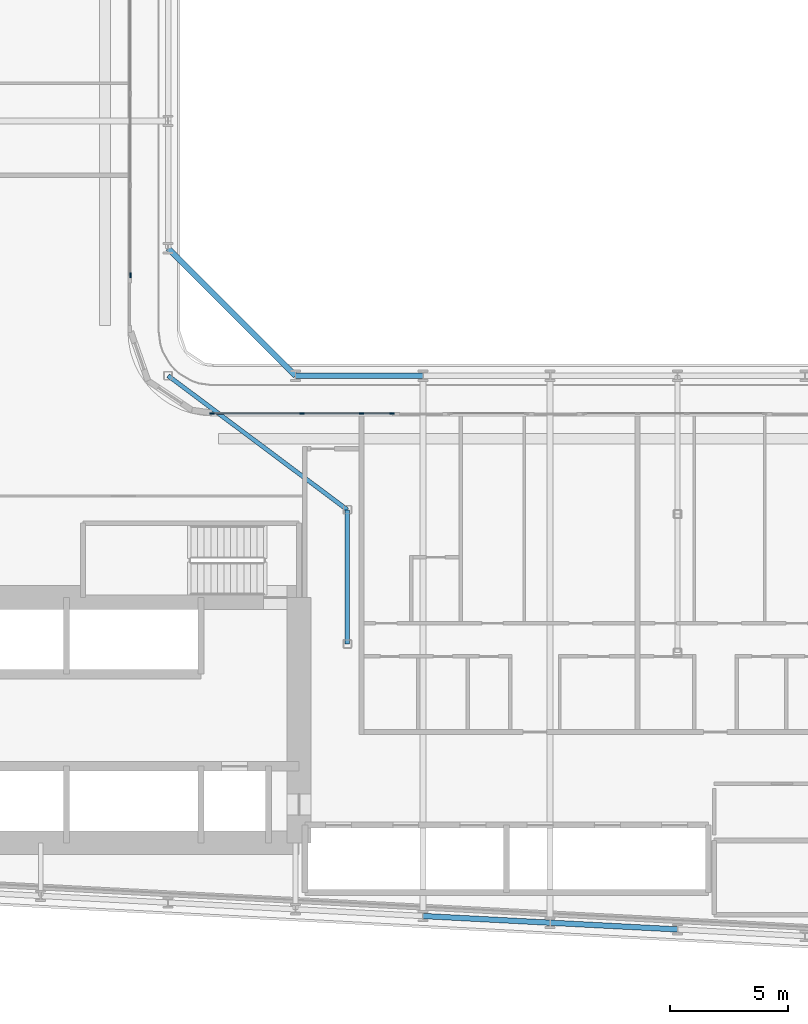
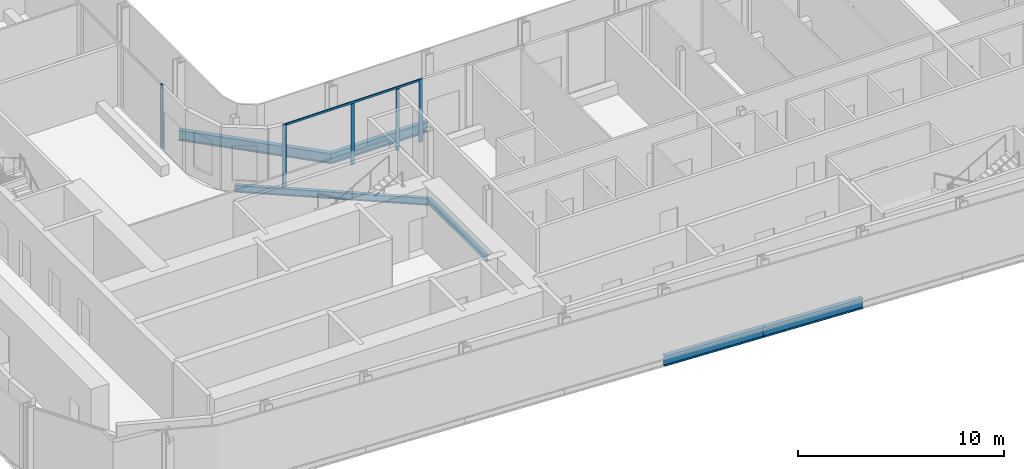
# One storey, part 4 of 28: 6 beams, 6 members, 2 elements without a shape of their own.
"""IFC4 building model written with IfcOpenShell, lengths in metres."""

import ifcopenshell
import ifcopenshell.guid

model = None  # the IFC model being written
_history = None  # IfcOwnerHistory: only IFC2X3 demands one
_inside = {}  # id of a spatial element -> (the spatial element, [elements in it])
_under = {}  # id of a project, library or spatial element -> (it, [spatial elements below it])
_declared = {}  # id of a project -> (the project, [libraries it declares])
_typed = {}  # id of a type object -> (the type object, [elements of that type])
_made_of = {}  # id of a material, layer set ... -> (it, [elements and type objects made of it])


def new_model(schema):
    """Start an empty IFC model of exactly this schema.

    Asked for "IFC4X3", IfcOpenShell would pick the latest addendum, in which some entities
    have other attributes; the version numbers below select the first issue.
    IFC2X3 requires an IfcOwnerHistory on every rooted entity: one is made here for all.
    """
    global model, _history
    if schema == "IFC4X3":
        model = ifcopenshell.file(schema_version=(4, 3, 0, 0))
    else:
        model = ifcopenshell.file(schema=schema)
    _inside.clear()
    _under.clear()
    _declared.clear()
    _typed.clear()
    _made_of.clear()
    _history = None
    if model.schema == "IFC2X3":
        org = make("IfcOrganization", Name="unknown")
        user = make(
            "IfcPersonAndOrganization",
            ThePerson=make("IfcPerson", FamilyName="unknown"),
            TheOrganization=org,
        )
        app = make(
            "IfcApplication",
            ApplicationDeveloper=org,
            Version="unknown",
            ApplicationFullName="unknown",
            ApplicationIdentifier="unknown",
        )
        _history = make(
            "IfcOwnerHistory",
            OwningUser=user,
            OwningApplication=app,
            ChangeAction="ADDED",
            CreationDate=0,
        )
    return model


def make(cls, **values):
    """One entity of the class cls with the attributes given. An attribute that is None is left unset."""
    return model.create_entity(
        cls, **{name: value for name, value in values.items() if value is not None}
    )


def rooted(cls, **values):
    """An entity with a GlobalId (a new one), such as an element, a storey or a relation."""
    return make(cls, GlobalId=ifcopenshell.guid.new(), OwnerHistory=_history, **values)


def si_unit(unit_type, name, prefix=None):
    """IfcSIUnit, for example si_unit("LENGTHUNIT", "METRE", prefix="MILLI")."""
    return make("IfcSIUnit", UnitType=unit_type, Prefix=prefix, Name=name)


def assignment(units):
    """IfcUnitAssignment: the units of a project."""
    return None if units is None else make("IfcUnitAssignment", Units=units)


def point(xyz):
    """IfcCartesianPoint."""
    return None if xyz is None else make("IfcCartesianPoint", Coordinates=xyz)


def direction(xyz):
    """IfcDirection."""
    return None if xyz is None else make("IfcDirection", DirectionRatios=xyz)


def frame(location, z_axis=None, x_axis=None):
    """IfcAxis2Placement3D, a coordinate frame: its origin and axes. An axis left out is left unset."""
    return make(
        "IfcAxis2Placement3D",
        Location=point(location),
        Axis=direction(z_axis),
        RefDirection=direction(x_axis),
    )


def frame_2d(location, x_axis=None):
    """IfcAxis2Placement2D, a coordinate frame in the plane: its origin and x axis."""
    return make(
        "IfcAxis2Placement2D", Location=point(location), RefDirection=direction(x_axis)
    )


def origin():
    """The frame at (0, 0, 0) with its axes left unset."""
    return frame((0.0, 0.0, 0.0))


def origin_2d():
    """The frame at (0, 0) in the plane with its x axis left unset."""
    return frame_2d((0.0, 0.0))


def place(relative_to, where):
    """IfcLocalPlacement: puts the frame where relative to a parent placement (None: the world)."""
    return make(
        "IfcLocalPlacement", PlacementRelTo=relative_to, RelativePlacement=where
    )


def context(
    kind, dimensions, precision=None, world=None, true_north=None, identifier=None
):
    """IfcGeometricRepresentationContext, for example the 3D "Model" context."""
    return make(
        "IfcGeometricRepresentationContext",
        ContextIdentifier=identifier,
        ContextType=kind,
        CoordinateSpaceDimension=dimensions,
        Precision=precision,
        WorldCoordinateSystem=world,
        TrueNorth=true_north,
    )


def subcontext(parent, identifier, kind, view, scale=None):
    """IfcGeometricRepresentationSubContext, for example "Body" below "Model"."""
    return make(
        "IfcGeometricRepresentationSubContext",
        ContextIdentifier=identifier,
        ContextType=kind,
        ParentContext=parent,
        TargetScale=scale,
        TargetView=view,
    )


def project(units=None, contexts=None):
    """IfcProject with its units and contexts."""
    return rooted(
        "IfcProject",
        Name="project",
        RepresentationContexts=contexts,
        UnitsInContext=assignment(units),
    )


def spatial(cls, under=None, at=None, **own):
    """A site, building, storey or space (cls), placed at a placement, below another one or the project."""
    s = rooted(cls, ObjectPlacement=at, **own)
    if under is not None:
        _under.setdefault(under.id(), (under, []))[1].append(s)
    return s


def profile(cls, at=None, kind="AREA", **sizes):
    """A parametric profile (cls). Its sizes go by their IFC names, for example OverallWidth=200.0."""
    return make(cls, ProfileType=kind, Position=at, **sizes)


def rectangle(**sizes):
    """IfcRectangleProfileDef."""
    return profile("IfcRectangleProfileDef", **sizes)


def i_section(**sizes):
    """IfcIShapeProfileDef."""
    return profile("IfcIShapeProfileDef", **sizes)


def extrude(swept, where, along, depth):
    """IfcExtrudedAreaSolid: the profile swept, set in the frame where, extruded along a direction by depth."""
    return make(
        "IfcExtrudedAreaSolid",
        SweptArea=swept,
        Position=where,
        ExtrudedDirection=direction(along),
        Depth=depth,
    )


def shape(context_of_items, identifier, shape_type, items):
    """IfcShapeRepresentation: the items that make up one representation, for example the "Body"."""
    return make(
        "IfcShapeRepresentation",
        ContextOfItems=context_of_items,
        RepresentationIdentifier=identifier,
        RepresentationType=shape_type,
        Items=items,
    )


def material(Name=None, Category=None):
    """IfcMaterial."""
    return make("IfcMaterial", Name=Name, Category=Category)


def layer(
    of_material, thickness, ventilated=None, Name=None, Category=None, Priority=None
):
    """IfcMaterialLayer: one layer of a wall or slab, of a material (None: an air gap)."""
    return make(
        "IfcMaterialLayer",
        Material=of_material,
        LayerThickness=thickness,
        IsVentilated=ventilated,
        Name=Name,
        Category=Category,
        Priority=Priority,
    )


def layer_set(layers, Name=None):
    """IfcMaterialLayerSet."""
    return make("IfcMaterialLayerSet", MaterialLayers=layers, LayerSetName=Name)


def material_profile(
    of_material, cross_section, Name=None, Category=None, Priority=None
):
    """IfcMaterialProfile: a cross section and its material."""
    return make(
        "IfcMaterialProfile",
        Name=Name,
        Material=of_material,
        Profile=cross_section,
        Priority=Priority,
        Category=Category,
    )


def profile_set(profiles, Name=None, composite=None):
    """IfcMaterialProfileSet."""
    return make(
        "IfcMaterialProfileSet",
        Name=Name,
        MaterialProfiles=profiles,
        CompositeProfile=composite,
    )


def made_of(thing, what):
    """Note that an element or type object is made of a material, layer set ...; save() writes the relation."""
    if what is not None:
        _made_of.setdefault(what.id(), (what, []))[1].append(thing)
    return thing


def type_object(cls, material=None, **own):
    """A type object (cls), such as IfcWallType, which elements share."""
    return made_of(rooted(cls, **own), material)


def element(
    cls,
    number,
    at=None,
    inside=None,
    cuts=None,
    type_object=None,
    material=None,
    context=None,
    identifier="Body",
    shape_type=None,
    held_by="IfcProductDefinitionShape",
    body=None,
    shapes=None,
    **own,
):
    """One element of the class cls, such as IfcWall. Its Tag is "e" and its number.

    at: its placement. inside: the storey or other place that contains it. cuts: it is an
    opening in that element (IfcRelVoidsElement). A single representation is given by context,
    identifier, shape_type and body (its items); several are given by shapes. held_by: the class
    of the entity that holds the representations. save() writes the other relations.
    """
    e = rooted(cls, Tag="e%d" % number, ObjectPlacement=at, **own)
    if body is not None:
        shapes = [shape(context, identifier, shape_type, body)]
    if shapes is not None:
        e.Representation = make(held_by, Representations=shapes)
    if inside is not None:
        _inside.setdefault(inside.id(), (inside, []))[1].append(e)
    if cuts is not None:
        rooted(
            "IfcRelVoidsElement", RelatingBuildingElement=cuts, RelatedOpeningElement=e
        )
    if type_object is not None:
        _typed.setdefault(type_object.id(), (type_object, []))[1].append(e)
    return made_of(e, material)


def aggregate(whole, parts):
    """IfcRelAggregates: a whole, such as a stair, and the parts it consists of."""
    return rooted("IfcRelAggregates", RelatingObject=whole, RelatedObjects=parts)


def save(model, path):
    """Write the relations noted so far, then the file.

    IfcRelAggregates (storeys below a building ...), IfcRelContainedInSpatialStructure (elements
    in a storey), IfcRelDefinesByType, IfcRelAssociatesMaterial and IfcRelDeclares: one each for
    every whole, place, type object, material and project.
    """
    for whole, parts in _under.values():
        aggregate(whole, parts)
    for where, things in _inside.values():
        rooted(
            "IfcRelContainedInSpatialStructure",
            RelatedElements=things,
            RelatingStructure=where,
        )
    for kind, things in _typed.values():
        rooted("IfcRelDefinesByType", RelatedObjects=things, RelatingType=kind)
    for what, things in _made_of.values():
        rooted("IfcRelAssociatesMaterial", RelatedObjects=things, RelatingMaterial=what)
    for by, libraries in _declared.values():
        rooted("IfcRelDeclares", RelatingContext=by, RelatedDefinitions=libraries)
    model.write(path)


model = new_model("IFC4")

# Units and contexts
model_context = context("Model", 3, precision=1e-05, world=origin(), true_north=direction((0.0, 1.0)))
body_context = subcontext(model_context, "Body", "Model", "MODEL_VIEW")
ifc_project = project(units=[si_unit("LENGTHUNIT", "METRE"), si_unit("AREAUNIT", "SQUARE_METRE"), si_unit("VOLUMEUNIT", "CUBIC_METRE"), si_unit("PLANEANGLEUNIT", "RADIAN"), si_unit("MASSUNIT", "GRAM", prefix="KILO")], contexts=[model_context])

# Site, building, storey
site_placement = place(None, origin())
site = spatial("IfcSite", under=ifc_project, at=site_placement, CompositionType="ELEMENT")
building_placement = place(site_placement, origin())
building = spatial("IfcBuilding", under=site, at=building_placement, Name="Kheshtan School and Residences Tower", CompositionType="ELEMENT")
storey_placement = place(building_placement, frame((0.0, 0.0, 73.39990234375)))
storey = spatial("IfcBuildingStorey", under=building, at=storey_placement, Name="L17", CompositionType="ELEMENT", Elevation=73.39990234375)

# Beams
ifc_material_1 = material(Name="Steel ASTM A992 Grade 50", Category="steel")
ifc_material_profile_1 = material_profile(ifc_material_1, i_section(OverallWidth=0.202880859375, OverallDepth=0.302978515625, WebThickness=0.007568359375, FlangeThickness=0.01318359375, FilletRadius=0.009033203125, at=origin_2d()), Name="W310x60")
ifc_profile_set_1 = profile_set([ifc_material_profile_1], Name="Steel ASTM A992 Grade 50")
beam_type_1 = type_object("IfcBeamType", Name="Beam FB1 W310x60 ASTM A992 Grade 50", PredefinedType="BEAM", material=ifc_profile_set_1)
beam_1_placement = place(storey_placement, frame((55.199951171875, 34.23193359375, -0.301513671875), z_axis=(0.0, 1.0, 0.0), x_axis=(-1.0, 0.0, 0.0)))
element("IfcBeam", 1, at=beam_1_placement, inside=storey, type_object=beam_type_1, Name="Floor beam IC", PredefinedType="BEAM", context=body_context, shape_type="SweptSolid", body=[
    extrude(i_section(OverallWidth=0.202880859375, OverallDepth=0.302978515625, WebThickness=0.007568359375, FlangeThickness=0.01318359375, FilletRadius=0.009033203125, at=origin_2d()), origin(), (0.0, 0.0, 1.0), 5.68408203125),
])
ifc_material_profile_2 = material_profile(ifc_material_1, i_section(OverallWidth=0.180908203125, OverallDepth=0.4169921875, WebThickness=0.010986328125, FlangeThickness=0.018310546875, FilletRadius=0.012451171875, at=origin_2d()), Name="W410x85")
ifc_profile_set_2 = profile_set([ifc_material_profile_2], Name="Steel ASTM A992 Grade 50")
beam_type_2 = type_object("IfcBeamType", Name="Beam FB3 W410x85 ASTM A992 Grade 50", PredefinedType="BEAM", material=ifc_profile_set_2)
beam_2_placement = place(storey_placement, frame((47.60009765625, 45.60009765625, -0.3583984375), z_axis=(0.800798828004, -0.598933416222, 0.0), x_axis=(0.598933416222, 0.800798828004, 0.0)))
element("IfcBeam", 2, at=beam_2_placement, inside=storey, type_object=beam_type_2, Name="Floor beam IC", PredefinedType="BEAM", context=body_context, shape_type="SweptSolid", body=[
    extrude(i_section(OverallWidth=0.180908203125, OverallDepth=0.4169921875, WebThickness=0.010986328125, FlangeThickness=0.018310546875, FilletRadius=0.012451171875, at=origin_2d()), origin(), (0.0, 0.0, 1.0), 9.490234375),
])
ifc_material_profile_3 = material_profile(ifc_material_1, i_section(OverallWidth=0.22998046875, OverallDepth=0.616943359375, WebThickness=0.01318359375, FlangeThickness=0.022216796875, FilletRadius=0.0185546875, at=origin_2d()), Name="W610x140")
ifc_profile_set_3 = profile_set([ifc_material_profile_3], Name="Steel ASTM A992 Grade 50")
beam_type_3 = type_object("IfcBeamType", Name="Beam SP1 W610x140 ASTM A992 Grade 50", PredefinedType="BEAM", material=ifc_profile_set_3)
beam_3_placement = place(storey_placement, frame((47.60009765625, 51.0, -0.45849609375), z_axis=(0.707106781187, -0.707106781187, 0.0), x_axis=(0.707106781187, 0.707106781187, 0.0)))
element("IfcBeam", 3, at=beam_3_placement, inside=storey, type_object=beam_type_3, Name="Spandrel beam C079-C061", PredefinedType="BEAM", context=body_context, shape_type="SweptSolid", body=[
    extrude(i_section(OverallWidth=0.22998046875, OverallDepth=0.616943359375, WebThickness=0.01318359375, FlangeThickness=0.022216796875, FilletRadius=0.0185546875, at=origin_2d()), origin(), (0.0, 0.0, 1.0), 7.63671875),
])
beam_4_placement = place(storey_placement, frame((53.0, 45.60009765625, -0.45849609375), z_axis=(1.0, 0.0, 0.0), x_axis=(0.0, 1.0, 0.0)))
element("IfcBeam", 4, at=beam_4_placement, inside=storey, type_object=beam_type_3, Name="Spandrel beam C061-C062", PredefinedType="BEAM", context=body_context, shape_type="SweptSolid", body=[
    extrude(i_section(OverallWidth=0.22998046875, OverallDepth=0.616943359375, WebThickness=0.01318359375, FlangeThickness=0.022216796875, FilletRadius=0.0185546875, at=origin_2d()), origin(), (0.0, 0.0, 1.0), 5.39990234375),
])
beam_5_placement = place(storey_placement, frame((69.199951171875, 22.126953125, -0.45849609375), z_axis=(-0.998620447272, 0.05250906864, 0.0), x_axis=(-0.05250906864, -0.998620447272, 0.0)))
element("IfcBeam", 5, at=beam_5_placement, inside=storey, type_object=beam_type_3, Name="Spandrel beam C014-C016", PredefinedType="BEAM", context=body_context, shape_type="SweptSolid", body=[
    extrude(i_section(OverallWidth=0.22998046875, OverallDepth=0.616943359375, WebThickness=0.01318359375, FlangeThickness=0.022216796875, FilletRadius=0.0185546875, at=origin_2d()), origin(), (0.0, 0.0, 1.0), 5.407470703125),
])
beam_6_placement = place(storey_placement, frame((63.800048828125, 22.410888671875, -0.45849609375), z_axis=(-0.998618203458, 0.052551724256, 0.0), x_axis=(-0.052551724256, -0.998618203458, 0.0)))
element("IfcBeam", 6, at=beam_6_placement, inside=storey, type_object=beam_type_3, Name="Spandrel beam C016-C018", PredefinedType="BEAM", context=body_context, shape_type="SweptSolid", body=[
    extrude(i_section(OverallWidth=0.22998046875, OverallDepth=0.616943359375, WebThickness=0.01318359375, FlangeThickness=0.022216796875, FilletRadius=0.0185546875, at=origin_2d()), origin(), (0.0, 0.0, 1.0), 5.40771484375),
])

# Curtain wall, member
ifc_material_2 = material(Name="Clear low-e glass in thermally broken aluminium frame", Category="aluminium")
ifc_layer = layer(ifc_material_2, 0.199951171875)
ifc_layer_set = layer_set([ifc_layer], Name="Curtain wall CW-L")
curtain_wall_type = type_object("IfcCurtainWallType", Name="Curtain wall CW-L", PredefinedType="NOTDEFINED", material=ifc_layer_set)
curtain_wall_1_placement = place(storey_placement, origin())
curtain_wall_1 = element("IfcCurtainWall", 7, at=curtain_wall_1_placement, inside=storey, type_object=curtain_wall_type, Name="Curtain wall CWL8", PredefinedType="NOTDEFINED")
ifc_material_3 = material(Name="Thermally broken aluminium, dark bronze anodised", Category="aluminium")
ifc_material_profile_4 = material_profile(ifc_material_3, rectangle(XDim=0.06005859375, YDim=0.199951171875, at=origin_2d()), Name="CW-L mullion 60x200")
ifc_profile_set_4 = profile_set([ifc_material_profile_4], Name="Thermally broken aluminium, dark bronze anodised")
member_type_1 = type_object("IfcMemberType", Name="CW-L mullion 60x200", PredefinedType="MULLION", material=ifc_profile_set_4)
member_1_placement = place(storey_placement, frame((46.0, 49.860107421875, 0.0), z_axis=(0.0, 0.0, 1.0), x_axis=(1.0, 0.0, 0.0)))
member_1 = element("IfcMember", 8, at=member_1_placement, type_object=member_type_1, Name="CWL8 mullion 3", PredefinedType="MULLION", context=body_context, shape_type="SweptSolid", body=[
    extrude(rectangle(XDim=0.06005859375, YDim=0.199951171875, at=origin_2d()), origin(), (0.0, 0.0, 1.0), 3.75),
])
aggregate(curtain_wall_1, [member_1])

# Curtain wall, members
curtain_wall_2_placement = place(storey_placement, origin())
curtain_wall_2 = element("IfcCurtainWall", 9, at=curtain_wall_2_placement, inside=storey, type_object=curtain_wall_type, Name="Curtain wall CWL12k", PredefinedType="NOTDEFINED")
member_2_placement = place(storey_placement, frame((49.4599609375, 44.0, 0.0), z_axis=(0.0, 0.0, 1.0), x_axis=(0.0, 1.0, 0.0)))
member_2 = element("IfcMember", 10, at=member_2_placement, type_object=member_type_1, Name="CWL12k mullion 1", PredefinedType="MULLION", context=body_context, shape_type="SweptSolid", body=[
    extrude(rectangle(XDim=0.06005859375, YDim=0.199951171875, at=origin_2d()), origin(), (0.0, 0.0, 1.0), 3.75),
])
member_3_placement = place(storey_placement, frame((53.277099609375, 44.0, 0.0), z_axis=(0.0, 0.0, 1.0), x_axis=(0.0, 1.0, 0.0)))
member_3 = element("IfcMember", 11, at=member_3_placement, type_object=member_type_1, Name="CWL12k mullion 2", PredefinedType="MULLION", context=body_context, shape_type="SweptSolid", body=[
    extrude(rectangle(XDim=0.06005859375, YDim=0.199951171875, at=origin_2d()), origin(), (0.0, 0.0, 1.0), 3.630126953125),
])
member_4_placement = place(storey_placement, frame((55.800048828125, 44.0, 0.0), z_axis=(0.0, 0.0, 1.0), x_axis=(0.0, 1.0, 0.0)))
member_4 = element("IfcMember", 12, at=member_4_placement, type_object=member_type_1, Name="CWL12k mullion 3", PredefinedType="MULLION", context=body_context, shape_type="SweptSolid", body=[
    extrude(rectangle(XDim=0.06005859375, YDim=0.199951171875, at=origin_2d()), origin(), (0.0, 0.0, 1.0), 3.630126953125),
])
member_5_placement = place(storey_placement, frame((57.093994140625, 44.0, 0.0), z_axis=(0.0, 0.0, 1.0), x_axis=(0.0, 1.0, 0.0)))
member_5 = element("IfcMember", 13, at=member_5_placement, type_object=member_type_1, Name="CWL12k mullion 4", PredefinedType="MULLION", context=body_context, shape_type="SweptSolid", body=[
    extrude(rectangle(XDim=0.06005859375, YDim=0.199951171875, at=origin_2d()), origin(), (0.0, 0.0, 1.0), 3.75),
])
ifc_material_profile_5 = material_profile(ifc_material_3, rectangle(XDim=0.06005859375, YDim=0.1201171875, at=origin_2d()), Name="CW-L transom 60x120")
ifc_profile_set_5 = profile_set([ifc_material_profile_5], Name="Thermally broken aluminium, dark bronze anodised")
member_type_2 = type_object("IfcMemberType", Name="CW-L transom 60x120", PredefinedType="USERDEFINED", material=ifc_profile_set_5)
member_6_placement = place(storey_placement, frame((49.489990234375, 44.0, 3.690185546875), z_axis=(1.0, 0.0, 0.0), x_axis=(0.0, 1.0, 0.0)))
member_6 = element("IfcMember", 14, at=member_6_placement, type_object=member_type_2, Name="CWL12k transom 1", ObjectType="TRANSOM", PredefinedType="USERDEFINED", context=body_context, shape_type="SweptSolid", body=[
    extrude(rectangle(XDim=0.06005859375, YDim=0.1201171875, at=origin_2d()), origin(), (0.0, 0.0, 1.0), 7.573974609375),
])
aggregate(curtain_wall_2, [member_2, member_3, member_4, member_5, member_6])

save(model, "model.ifc")
